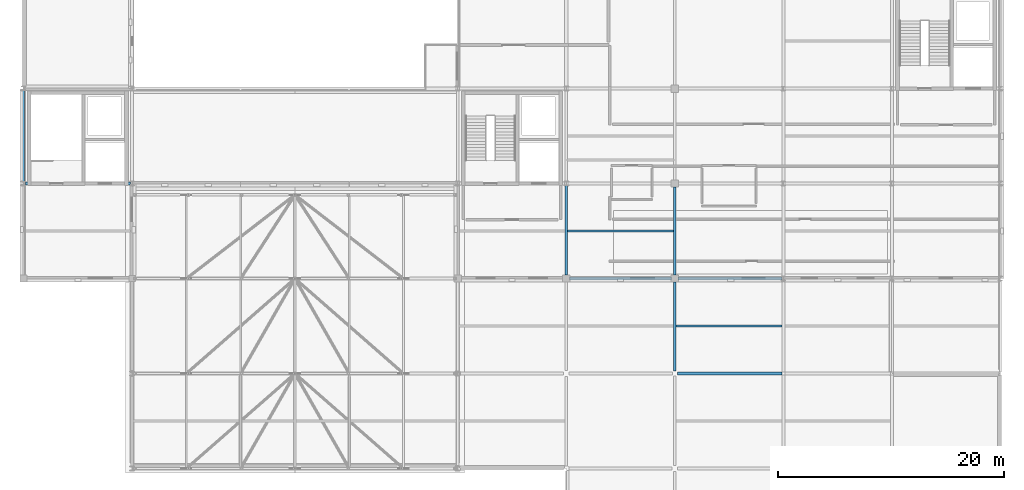
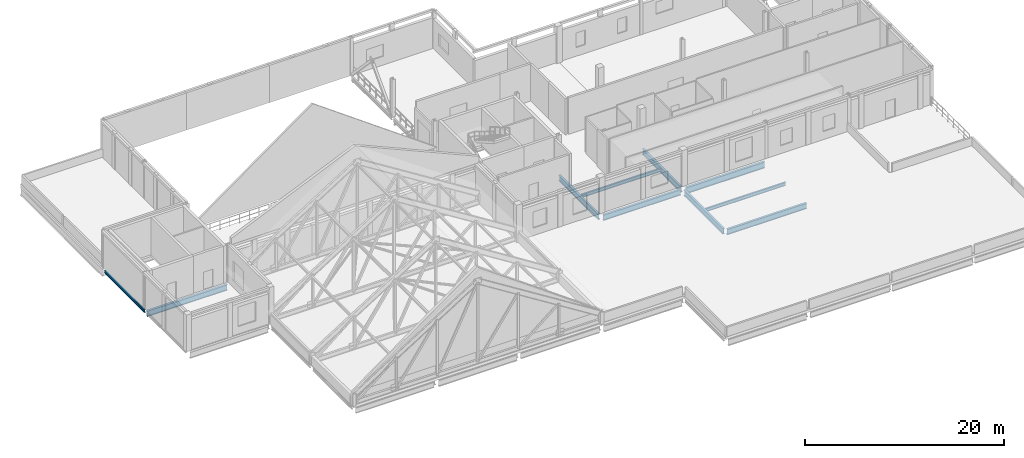
# One storey, part 11 of 26: 10 beams.
"""IFC4 building model written with IfcOpenShell, lengths in metres."""

from ifc_helpers import new_model, si_unit, direction, frame, origin, origin_2d, place, context, subcontext, project, spatial, i_section, extrude, material, material_profile, profile_set, type_object, element, save


model = new_model("IFC4")

# Units and contexts
model_context = context("Model", 3, precision=1e-05, world=origin(), true_north=direction((0.0, 1.0)))
body_context = subcontext(model_context, "Body", "Model", "MODEL_VIEW")
ifc_project = project(units=[si_unit("LENGTHUNIT", "METRE"), si_unit("AREAUNIT", "SQUARE_METRE"), si_unit("VOLUMEUNIT", "CUBIC_METRE"), si_unit("PLANEANGLEUNIT", "RADIAN"), si_unit("MASSUNIT", "GRAM", prefix="KILO")], contexts=[model_context])

# Site, building, storey
site_placement = place(None, origin())
site = spatial("IfcSite", under=ifc_project, at=site_placement, CompositionType="ELEMENT")
building_placement = place(site_placement, origin())
building = spatial("IfcBuilding", under=site, at=building_placement, Name="Lornevale Opera House", CompositionType="ELEMENT")
storey_placement = place(building_placement, frame((0.0, 0.0, 19.800048828125)))
storey = spatial("IfcBuildingStorey", under=building, at=storey_placement, Name="L05", CompositionType="ELEMENT", Elevation=19.800048828125)

# Beams
ifc_material = material(Name="Structural Steel CSA G40.21 Grade 350W (350 MPa)", Category="steel")
ifc_material_profile_1 = material_profile(ifc_material, i_section(OverallWidth=0.179931640625, OverallDepth=0.4130859375, WebThickness=0.009765625, FlangeThickness=0.01611328125, at=origin_2d()), Name="W410x74")
ifc_profile_set_1 = profile_set([ifc_material_profile_1], Name="Structural Steel CSA G40.21 Grade 350W (350 MPa)")
beam_type_1 = type_object("IfcBeamType", Name="Steel Floor Joist W410x74", PredefinedType="JOIST", material=ifc_profile_set_1)
beam_1_placement = place(storey_placement, frame((105.72705078125, 54.60009765625, -0.511474609375), z_axis=(1.0, 0.0, 0.0), x_axis=(0.0, 1.0, 0.0)))
element("IfcBeam", 1, at=beam_1_placement, inside=storey, type_object=beam_type_1, Name="Steel Floor Joist W410x74 2814", PredefinedType="JOIST", context=body_context, shape_type="SweptSolid", body=[
    extrude(i_section(OverallWidth=0.179931640625, OverallDepth=0.4130859375, WebThickness=0.009765625, FlangeThickness=0.01611328125, at=origin_2d()), origin(), (0.0, 0.0, 1.0), 9.345947265625),
])
beam_2_placement = place(storey_placement, frame((115.326904296875, 46.199951171875, -0.511474609375), z_axis=(1.0, 0.0, 0.0), x_axis=(0.0, 1.0, 0.0)))
element("IfcBeam", 2, at=beam_2_placement, inside=storey, type_object=beam_type_1, Name="Steel Floor Joist W410x74 2818", PredefinedType="JOIST", context=body_context, shape_type="SweptSolid", body=[
    extrude(i_section(OverallWidth=0.179931640625, OverallDepth=0.4130859375, WebThickness=0.009765625, FlangeThickness=0.01611328125, at=origin_2d()), origin(), (0.0, 0.0, 1.0), 9.34619140625),
])
ifc_material_profile_2 = material_profile(ifc_material, i_section(OverallWidth=0.25390625, OverallDepth=0.68798828125, WebThickness=0.01318359375, FlangeThickness=0.02099609375, at=origin_2d()), Name="W690x152")
ifc_profile_set_2 = profile_set([ifc_material_profile_2], Name="Structural Steel CSA G40.21 Grade 350W (350 MPa)")
beam_type_2 = type_object("IfcBeamType", Name="Steel Foyer Beam W690x152", PredefinedType="USERDEFINED", material=ifc_profile_set_2)
beam_3_placement = place(storey_placement, frame((115.425048828125, 42.0, -0.649169921875), z_axis=(1.0, 0.0, 0.0), x_axis=(0.0, 1.0, 0.0)))
element("IfcBeam", 3, at=beam_3_placement, inside=storey, type_object=beam_type_2, Name="Steel Foyer Beam W690x152 2729", ObjectType="GIRDER", PredefinedType="USERDEFINED", context=body_context, shape_type="SweptSolid", body=[
    extrude(i_section(OverallWidth=0.25390625, OverallDepth=0.68798828125, WebThickness=0.01318359375, FlangeThickness=0.02099609375, at=origin_2d()), origin(), (0.0, 0.0, 1.0), 9.238525390625),
])
beam_4_placement = place(storey_placement, frame((105.89990234375, 50.39990234375, -0.649169921875), z_axis=(1.0, 0.0, 0.0), x_axis=(0.0, 1.0, 0.0)))
element("IfcBeam", 4, at=beam_4_placement, inside=storey, type_object=beam_type_2, Name="Steel Foyer Beam W690x152 2734", ObjectType="GIRDER", PredefinedType="USERDEFINED", context=body_context, shape_type="SweptSolid", body=[
    extrude(i_section(OverallWidth=0.25390625, OverallDepth=0.68798828125, WebThickness=0.01318359375, FlangeThickness=0.02099609375, at=origin_2d()), origin(), (0.0, 0.0, 1.0), 9.0),
])
beam_5_placement = place(storey_placement, frame((57.748046875, 58.800048828125, -0.678955078125), z_axis=(1.0, 0.0, 0.0), x_axis=(0.0, 1.0, 0.0)))
element("IfcBeam", 5, at=beam_5_placement, inside=storey, type_object=beam_type_2, Name="Steel Foyer Beam W690x152 2738", ObjectType="GIRDER", PredefinedType="USERDEFINED", context=body_context, shape_type="SweptSolid", body=[
    extrude(i_section(OverallWidth=0.25390625, OverallDepth=0.68798828125, WebThickness=0.01318359375, FlangeThickness=0.02099609375, at=origin_2d()), origin(), (0.0, 0.0, 1.0), 9.302490234375),
])
beam_6_placement = place(storey_placement, frame((105.60009765625, 50.699951171875, -0.649169921875), z_axis=(0.0, 1.0, 0.0), x_axis=(-1.0, 0.0, 0.0)))
element("IfcBeam", 6, at=beam_6_placement, inside=storey, type_object=beam_type_2, Name="Steel Foyer Beam W690x152 2778", ObjectType="GIRDER", PredefinedType="USERDEFINED", context=body_context, shape_type="SweptSolid", body=[
    extrude(i_section(OverallWidth=0.25390625, OverallDepth=0.68798828125, WebThickness=0.01318359375, FlangeThickness=0.02099609375, at=origin_2d()), origin(), (0.0, 0.0, 1.0), 7.950439453125),
])
beam_7_placement = place(storey_placement, frame((115.199951171875, 42.22509765625, -0.649169921875), z_axis=(0.0, 1.0, 0.0), x_axis=(-1.0, 0.0, 0.0)))
element("IfcBeam", 7, at=beam_7_placement, inside=storey, type_object=beam_type_2, Name="Steel Foyer Beam W690x152 2783", ObjectType="GIRDER", PredefinedType="USERDEFINED", context=body_context, shape_type="SweptSolid", body=[
    extrude(i_section(OverallWidth=0.25390625, OverallDepth=0.68798828125, WebThickness=0.01318359375, FlangeThickness=0.02099609375, at=origin_2d()), origin(), (0.0, 0.0, 1.0), 7.875),
])
beam_8_placement = place(storey_placement, frame((115.199951171875, 50.699951171875, -0.649169921875), z_axis=(0.0, 1.0, 0.0), x_axis=(-1.0, 0.0, 0.0)))
element("IfcBeam", 8, at=beam_8_placement, inside=storey, type_object=beam_type_2, Name="Steel Foyer Beam W690x152 2784", ObjectType="GIRDER", PredefinedType="USERDEFINED", context=body_context, shape_type="SweptSolid", body=[
    extrude(i_section(OverallWidth=0.25390625, OverallDepth=0.68798828125, WebThickness=0.01318359375, FlangeThickness=0.02099609375, at=origin_2d()), origin(), (0.0, 0.0, 1.0), 7.800048828125),
])
ifc_material_profile_3 = material_profile(ifc_material, i_section(OverallWidth=0.1669921875, OverallDepth=0.31689453125, WebThickness=0.007568359375, FlangeThickness=0.01318359375, at=origin_2d()), Name="W310x52")
ifc_profile_set_3 = profile_set([ifc_material_profile_3], Name="Structural Steel CSA G40.21 Grade 350W (350 MPa)")
beam_type_3 = type_object("IfcBeamType", Name="Steel Spandrel Beam W310x52", PredefinedType="SPANDREL", material=ifc_profile_set_3)
beam_9_placement = place(storey_placement, frame((57.60009765625, 58.943603515625, -0.463623046875), z_axis=(0.0, 1.0, 0.0), x_axis=(-1.0, 0.0, 0.0)))
element("IfcBeam", 9, at=beam_9_placement, inside=storey, type_object=beam_type_3, Name="Steel Spandrel Beam W310x52 2759", PredefinedType="SPANDREL", context=body_context, shape_type="SweptSolid", body=[
    extrude(i_section(OverallWidth=0.1669921875, OverallDepth=0.31689453125, WebThickness=0.007568359375, FlangeThickness=0.01318359375, at=origin_2d()), origin(), (0.0, 0.0, 1.0), 8.11279296875),
])
ifc_material_profile_4 = material_profile(ifc_material, i_section(OverallWidth=0.26708984375, OverallDepth=0.76611328125, WebThickness=0.014892578125, FlangeThickness=0.023681640625, at=origin_2d()), Name="W760x185")
ifc_profile_set_4 = profile_set([ifc_material_profile_4], Name="Structural Steel CSA G40.21 Grade 350W (350 MPa)")
beam_type_4 = type_object("IfcBeamType", Name="Steel Workshop Girder W760x185", PredefinedType="USERDEFINED", material=ifc_profile_set_4)
beam_10_placement = place(storey_placement, frame((115.5, 50.39990234375, -0.68798828125), z_axis=(1.0, 0.0, 0.0), x_axis=(0.0, 1.0, 0.0)))
element("IfcBeam", 10, at=beam_10_placement, inside=storey, type_object=beam_type_4, Name="Steel Workshop Girder W760x185 2735", ObjectType="GIRDER", PredefinedType="USERDEFINED", context=body_context, shape_type="SweptSolid", body=[
    extrude(i_section(OverallWidth=0.26708984375, OverallDepth=0.76611328125, WebThickness=0.014892578125, FlangeThickness=0.023681640625, at=origin_2d()), origin(), (0.0, 0.0, 1.0), 9.16357421875),
])

save(model, "model.ifc")
